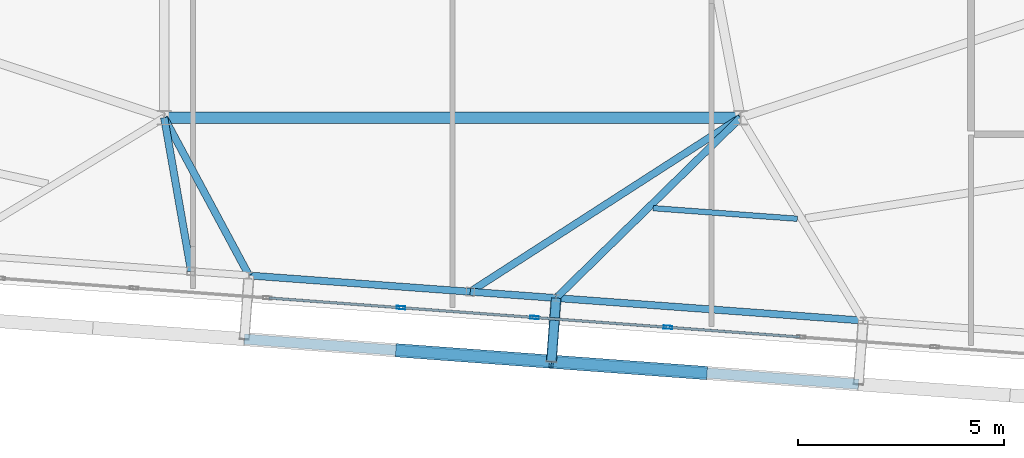
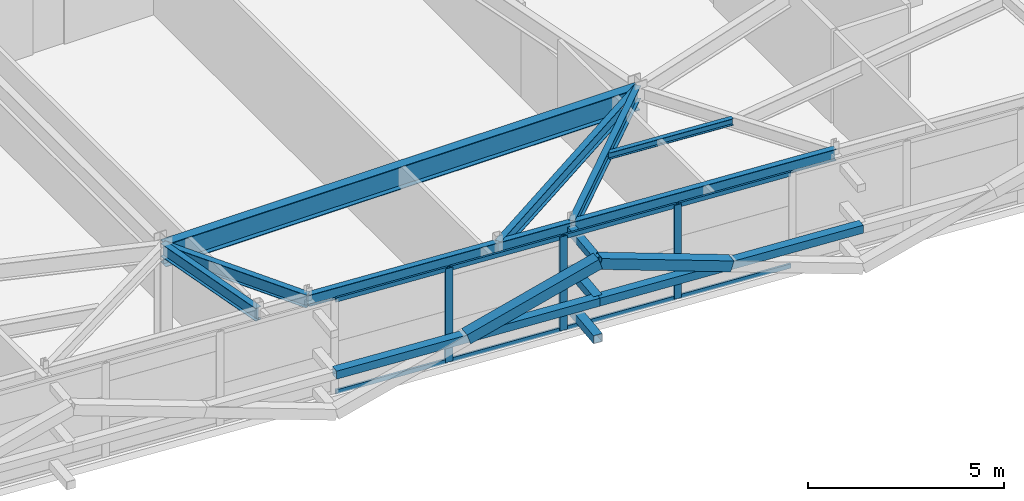
# One storey, part 13 of 42: 18 members, 9 beams, 1 element without a shape of its own.
"""IFC4 building model written with IfcOpenShell, lengths in metres."""

from ifc_helpers import new_model, si_unit, direction, frame, origin, origin_2d, place, context, subcontext, project, spatial, hollow_rectangle, i_section, extrude, source, transform, mapped, material, layer, layer_set, material_profile, profile_set, type_object, element, aggregate, save


model = new_model("IFC4")

# Units and contexts
model_context = context("Model", 3, precision=1e-05, world=origin(), true_north=direction((0.0, 1.0)))
body_context = subcontext(model_context, "Body", "Model", "MODEL_VIEW")
ifc_project = project(units=[si_unit("LENGTHUNIT", "METRE"), si_unit("AREAUNIT", "SQUARE_METRE"), si_unit("VOLUMEUNIT", "CUBIC_METRE"), si_unit("PLANEANGLEUNIT", "RADIAN"), si_unit("MASSUNIT", "GRAM", prefix="KILO")], contexts=[model_context])

# Site, building, storey
site_placement = place(None, origin())
site = spatial("IfcSite", under=ifc_project, at=site_placement, CompositionType="ELEMENT")
building_placement = place(site_placement, origin())
building = spatial("IfcBuilding", under=site, at=building_placement, Name="Taldren Reach Tower", CompositionType="ELEMENT")
storey_placement = place(building_placement, frame((0.0, 0.0, 224.0)))
storey = spatial("IfcBuildingStorey", under=building, at=storey_placement, Name="L68", CompositionType="ELEMENT", Elevation=224.0)

# Beam
ifc_material_1 = material(Name="Steel Gr 350 (350PLUS)", Category="steel")
ifc_material_profile_1 = material_profile(ifc_material_1, i_section(OverallWidth=0.27490234375, OverallDepth=0.699951171875, WebThickness=0.010009765625, FlangeThickness=0.02001953125, at=origin_2d()), Name="700WB150")
ifc_profile_set_1 = profile_set([ifc_material_profile_1], Name="Steel Gr 350 (350PLUS)")
beam_type_1 = type_object("IfcBeamType", Name="BM-WB700", PredefinedType="BEAM", material=ifc_profile_set_1)
shared_shape_1 = source(origin(), body_context, "Body", "SweptSolid", [
    extrude(i_section(OverallWidth=0.27490234375, OverallDepth=0.699951171875, WebThickness=0.010009765625, FlangeThickness=0.02001953125, at=origin_2d()), origin(), (0.0, 0.0, 1.0), 14.0),
])
beam_1_placement = place(storey_placement, frame((28.0, 9.199951171875, 2.580078125), z_axis=(1.0, 0.0, 0.0), x_axis=(0.0, 1.0, 0.0)))
element("IfcBeam", 1, at=beam_1_placement, inside=storey, type_object=beam_type_1, Name="Core-spine girder L68-SP11", PredefinedType="BEAM", context=body_context, shape_type="MappedRepresentation", body=[
    mapped(shared_shape_1, transform((0.0, 0.0, 0.0), scale=1.0)),
])

# Members
ifc_material_2 = material(Name="Steel Gr 350 (C350L0)", Category="steel")
ifc_material_profile_2 = material_profile(ifc_material_2, hollow_rectangle(XDim=0.25, YDim=0.25, WallThickness=0.010009765625, at=origin_2d()), Name="250x250x10.0SHS")
ifc_profile_set_2 = profile_set([ifc_material_profile_2], Name="Steel Gr 350 (C350L0)")
member_type_1 = type_object("IfcMemberType", Name="MB-POST250", PredefinedType="POST", material=ifc_profile_set_2)
shared_shape_2 = source(origin(), body_context, "Body", "SweptSolid", [
    extrude(hollow_rectangle(XDim=0.25, YDim=0.25, WallThickness=0.010009765625, at=origin_2d()), origin(), (0.0, 0.0, 1.0), 1.550048828125),
])
for number, where, z_axis, x_axis, name in (
    (2, (37.5205078125, 4.81689453125, 0.219970703125), (-0.07323929162, -0.997314396849, 0.0), (0.997314396849, -0.07323929162, 0.0), "Exoskeleton base diaphragm tie strut B5-S4 L68"),
    (3, (37.5205078125, 4.81689453125, 1.43505859375), (-0.07323929162, -0.997314396849, 0.0), (0.997314396849, -0.07323929162, 0.0), "Exoskeleton mid-tier diaphragm tie B5-S4 L68"),
):
    element("IfcMember", number, at=place(storey_placement, frame(where, z_axis=z_axis, x_axis=x_axis)), inside=storey, type_object=member_type_1, Name=name, PredefinedType="POST", context=body_context, shape_type="MappedRepresentation", body=[
        mapped(shared_shape_2, transform((0.0, 0.0, 0.0), scale=1.0)),
    ])
ifc_material_3 = material(Name="Steel Gr 450 (C450L0)", Category="steel")
ifc_material_profile_3 = material_profile(ifc_material_3, hollow_rectangle(XDim=0.219970703125, YDim=0.219970703125, WallThickness=0.00830078125, at=origin_2d()), Name="220x220x8.2SHS")
ifc_profile_set_3 = profile_set([ifc_material_profile_3], Name="Steel Gr 450 (C450L0)")
member_type_2 = type_object("IfcMemberType", Name="MB-TIE219", PredefinedType="STRUT", material=ifc_profile_set_3)
shared_shape_3 = source(origin(), body_context, "Body", "SweptSolid", [
    extrude(hollow_rectangle(XDim=0.219970703125, YDim=0.219970703125, WallThickness=0.00830078125, at=origin_2d()), origin(), (0.0, 0.0, 1.0), 1.550048828125),
])
member_1_placement = place(storey_placement, frame((37.5205078125, 4.81689453125, 2.64990234375), z_axis=(-0.07323929162, -0.997314396849, 0.0), x_axis=(0.997314396849, -0.07323929162, 0.0)))
element("IfcMember", 4, at=member_1_placement, inside=storey, type_object=member_type_2, Name="Exoskeleton diaphragm tie strut B5-S4 L68", PredefinedType="STRUT", context=body_context, shape_type="MappedRepresentation", body=[
    mapped(shared_shape_3, transform((0.0, 0.0, 0.0), scale=1.0)),
])

# Beams
ifc_material_profile_4 = material_profile(ifc_material_1, i_section(OverallWidth=0.172119140625, OverallDepth=0.35888671875, WebThickness=0.008056640625, FlangeThickness=0.012939453125, at=origin_2d()), Name="360UB56.7")
ifc_profile_set_4 = profile_set([ifc_material_profile_4], Name="Steel Gr 350 (350PLUS)")
beam_type_2 = type_object("IfcBeamType", Name="SP-UB360", PredefinedType="SPANDREL", material=ifc_profile_set_4)
shared_shape_4 = source(origin(), body_context, "Body", "SweptSolid", [
    extrude(i_section(OverallWidth=0.172119140625, OverallDepth=0.35888671875, WebThickness=0.008056640625, FlangeThickness=0.012939453125, at=origin_2d()), origin(), (0.0, 0.0, 1.0), 5.389892578125),
])
beam_2_placement = place(storey_placement, frame((30.060546875, 5.364501953125, 2.75048828125), z_axis=(0.997314149177, -0.073242664148, 0.0), x_axis=(0.073242664148, 0.997314149177, 0.0)))
element("IfcBeam", 5, at=beam_2_placement, inside=storey, type_object=beam_type_2, Name="Perimeter spandrel B5 S3-PJ2 L68", PredefinedType="SPANDREL", context=body_context, shape_type="MappedRepresentation", body=[
    mapped(shared_shape_4, transform((0.0, 0.0, 0.0), scale=1.0)),
])
shared_shape_5 = source(origin(), body_context, "Body", "SweptSolid", [
    extrude(i_section(OverallWidth=0.172119140625, OverallDepth=0.35888671875, WebThickness=0.008056640625, FlangeThickness=0.012939453125, at=origin_2d()), origin(), (0.0, 0.0, 1.0), 2.090087890625),
])
beam_3_placement = place(storey_placement, frame((35.43603515625, 4.9697265625, 2.75048828125), z_axis=(0.997322930253, -0.073122997697, 0.0), x_axis=(0.073122997697, 0.997322930253, 0.0)))
element("IfcBeam", 6, at=beam_3_placement, inside=storey, type_object=beam_type_2, Name="Perimeter spandrel B5 PJ2-S4 L68", PredefinedType="SPANDREL", context=body_context, shape_type="MappedRepresentation", body=[
    mapped(shared_shape_5, transform((0.0, 0.0, 0.0), scale=1.0)),
])
shared_shape_6 = source(origin(), body_context, "Body", "SweptSolid", [
    extrude(i_section(OverallWidth=0.172119140625, OverallDepth=0.35888671875, WebThickness=0.008056640625, FlangeThickness=0.012939453125, at=origin_2d()), origin(), (0.0, 0.0, 1.0), 7.479736328125),
])
beam_4_placement = place(storey_placement, frame((37.5205078125, 4.81689453125, 2.75048828125), z_axis=(0.997314045547, -0.073244075215, 0.0), x_axis=(0.073244075215, 0.997314045547, 0.0)))
element("IfcBeam", 7, at=beam_4_placement, inside=storey, type_object=beam_type_2, Name="Perimeter spandrel B5 S4-S5 L68", PredefinedType="SPANDREL", context=body_context, shape_type="MappedRepresentation", body=[
    mapped(shared_shape_6, transform((0.0, 0.0, 0.0), scale=1.0)),
])
ifc_material_profile_5 = material_profile(ifc_material_1, i_section(OverallWidth=0.177978515625, OverallDepth=0.406005859375, WebThickness=0.0078125, FlangeThickness=0.0126953125, at=origin_2d()), Name="410UB59.7")
ifc_profile_set_5 = profile_set([ifc_material_profile_5], Name="Steel Gr 350 (350PLUS)")
beam_type_3 = type_object("IfcBeamType", Name="BM-UB410", PredefinedType="BEAM", material=ifc_profile_set_5)
shared_shape_7 = source(origin(), body_context, "Body", "SweptSolid", [
    extrude(i_section(OverallWidth=0.177978515625, OverallDepth=0.406005859375, WebThickness=0.0078125, FlangeThickness=0.0126953125, at=origin_2d()), origin(), (0.0, 0.0, 1.0), 3.7890625),
])
beam_5_placement = place(storey_placement, frame((28.0, 9.199951171875, 2.72705078125), z_axis=(0.172678846321, -0.984978180486, 0.0), x_axis=(0.984978180486, 0.172678846321, 0.0)))
element("IfcBeam", 8, at=beam_5_placement, inside=storey, type_object=beam_type_3, Name="Primary floor girder B5-PJ1 L68", PredefinedType="BEAM", context=body_context, shape_type="MappedRepresentation", body=[
    mapped(shared_shape_7, transform((0.0, 0.0, 0.0), scale=1.0)),
])
shared_shape_8 = source(origin(), body_context, "Body", "SweptSolid", [
    extrude(i_section(OverallWidth=0.177978515625, OverallDepth=0.406005859375, WebThickness=0.0078125, FlangeThickness=0.0126953125, at=origin_2d()), origin(), (0.0, 0.0, 1.0), 4.35400390625),
])
beam_6_placement = place(storey_placement, frame((28.0, 9.199951171875, 2.72705078125), z_axis=(0.473263645364, -0.88092083752, 0.0), x_axis=(0.88092083752, 0.473263645364, 0.0)))
element("IfcBeam", 9, at=beam_6_placement, inside=storey, type_object=beam_type_3, Name="Primary floor girder B5-S3 L68", PredefinedType="BEAM", context=body_context, shape_type="MappedRepresentation", body=[
    mapped(shared_shape_8, transform((0.0, 0.0, 0.0), scale=1.0)),
])
shared_shape_9 = source(origin(), body_context, "Body", "SweptSolid", [
    extrude(i_section(OverallWidth=0.177978515625, OverallDepth=0.406005859375, WebThickness=0.0078125, FlangeThickness=0.0126953125, at=origin_2d()), origin(), (0.0, 0.0, 1.0), 7.80908203125),
])
beam_7_placement = place(storey_placement, frame((42.0, 9.199951171875, 2.72705078125), z_axis=(-0.840564391699, -0.541711642304, 0.0), x_axis=(0.541711642304, -0.840564391699, 0.0)))
element("IfcBeam", 10, at=beam_7_placement, inside=storey, type_object=beam_type_3, Name="Primary floor girder B5-PJ2 L68", PredefinedType="BEAM", context=body_context, shape_type="MappedRepresentation", body=[
    mapped(shared_shape_9, transform((0.0, 0.0, 0.0), scale=1.0)),
])
shared_shape_10 = source(origin(), body_context, "Body", "SweptSolid", [
    extrude(i_section(OverallWidth=0.177978515625, OverallDepth=0.406005859375, WebThickness=0.0078125, FlangeThickness=0.0126953125, at=origin_2d()), origin(), (0.0, 0.0, 1.0), 6.26708984375),
])
beam_8_placement = place(storey_placement, frame((42.0, 9.199951171875, 2.72705078125), z_axis=(-0.71475866888, -0.699371178461, 0.0), x_axis=(0.699371178461, -0.71475866888, 0.0)))
element("IfcBeam", 11, at=beam_8_placement, inside=storey, type_object=beam_type_3, Name="Primary floor girder B5-S4 L68", PredefinedType="BEAM", context=body_context, shape_type="MappedRepresentation", body=[
    mapped(shared_shape_10, transform((0.0, 0.0, 0.0), scale=1.0)),
])
ifc_material_4 = material(Name="Steel Gr 300 (300PLUS, 300 MPa)", Category="steel")
ifc_material_profile_6 = material_profile(ifc_material_4, i_section(OverallWidth=0.134033203125, OverallDepth=0.20703125, WebThickness=0.00634765625, FlangeThickness=0.009521484375, at=origin_2d()), Name="200UB29.8")
ifc_profile_set_6 = profile_set([ifc_material_profile_6], Name="Steel Gr 300 (300PLUS, 300 MPa)")
beam_type_4 = type_object("IfcBeamType", Name="JS-UB200", PredefinedType="JOIST", material=ifc_profile_set_6)
shared_shape_11 = source(origin(), body_context, "Body", "SweptSolid", [
    extrude(i_section(OverallWidth=0.134033203125, OverallDepth=0.20703125, WebThickness=0.00634765625, FlangeThickness=0.009521484375, at=origin_2d()), origin(), (0.0, 0.0, 1.0), 3.51220703125),
])
beam_9_placement = place(storey_placement, frame((39.878662109375, 6.999755859375, 2.826416015625), z_axis=(0.997312333235, -0.073267386856, 0.0), x_axis=(0.073267386856, 0.997312333235, 0.0)))
element("IfcBeam", 12, at=beam_9_placement, inside=storey, type_object=beam_type_4, Name="Secondary floor joist B5 J4 L68", PredefinedType="JOIST", context=body_context, shape_type="MappedRepresentation", body=[
    mapped(shared_shape_11, transform((0.0, 0.0, 0.0), scale=1.0)),
])

# Members
ifc_material_profile_7 = material_profile(ifc_material_3, hollow_rectangle(XDim=0.324951171875, YDim=0.324951171875, WallThickness=0.0126953125, at=origin_2d()), Name="325x325x12.7SHS")
ifc_profile_set_7 = profile_set([ifc_material_profile_7], Name="Steel Gr 450 (C450L0)")
member_type_3 = type_object("IfcMemberType", Name="MB-BR324", PredefinedType="BRACE", material=ifc_profile_set_7)
shared_shape_12 = source(origin(), body_context, "Body", "SweptSolid", [
    extrude(hollow_rectangle(XDim=0.324951171875, YDim=0.324951171875, WallThickness=0.0126953125, at=origin_2d()), origin(), (0.0, 0.0, 1.0), 3.932373046875),
])
member_2_placement = place(storey_placement, frame((33.677001953125, 3.544921875, 1.43505859375), z_axis=(0.948529326954, -0.06965898055, 0.308933232813), x_axis=(0.07324169103, 0.997314220642, 0.0)))
element("IfcMember", 13, at=member_2_placement, inside=storey, type_object=member_type_3, Name="Exoskeleton Diagrid Brace B5-S3 L68", PredefinedType="BRACE", context=body_context, shape_type="MappedRepresentation", body=[
    mapped(shared_shape_12, transform((0.0, 0.0, 0.0), scale=1.0)),
])
shared_shape_13 = source(origin(), body_context, "Body", "SweptSolid", [
    extrude(hollow_rectangle(XDim=0.25, YDim=0.25, WallThickness=0.010009765625, at=origin_2d()), origin(), (0.0, 0.0, 1.0), 7.47998046875),
])
member_3_placement = place(storey_placement, frame((29.947021484375, 3.81884765625, 1.43505859375), z_axis=(0.997314220642, -0.07324169103, 0.0), x_axis=(0.07324169103, 0.997314220642, 0.0)))
element("IfcMember", 14, at=member_3_placement, inside=storey, type_object=member_type_1, Name="Exoskeleton mid-height ring chord B5-S3 L68", PredefinedType="POST", context=body_context, shape_type="MappedRepresentation", body=[
    mapped(shared_shape_13, transform((0.0, 0.0, 0.0), scale=1.0)),
])
shared_shape_14 = source(origin(), body_context, "Body", "SweptSolid", [
    extrude(hollow_rectangle(XDim=0.324951171875, YDim=0.324951171875, WallThickness=0.0126953125, at=origin_2d()), origin(), (0.0, 0.0, 1.0), 3.93212890625),
])
member_4_placement = place(storey_placement, frame((41.13671875, 2.9970703125, 1.43505859375), z_axis=(-0.948523099803, 0.069663082934, 0.30895142663), x_axis=(-0.073246459555, -0.997313870435, 0.0)))
element("IfcMember", 15, at=member_4_placement, inside=storey, type_object=member_type_3, Name="Exoskeleton Diagrid Brace B5-S4 L68", PredefinedType="BRACE", context=body_context, shape_type="MappedRepresentation", body=[
    mapped(shared_shape_14, transform((0.0, 0.0, 0.0), scale=1.0)),
])
shared_shape_15 = source(origin(), body_context, "Body", "SweptSolid", [
    extrude(hollow_rectangle(XDim=0.25, YDim=0.25, WallThickness=0.010009765625, at=origin_2d()), origin(), (0.0, 0.0, 1.0), 7.479736328125),
])
member_5_placement = place(storey_placement, frame((37.406982421875, 3.27099609375, 1.43505859375), z_axis=(0.997314045547, -0.073244075215, 0.0), x_axis=(0.073244075215, 0.997314045547, 0.0)))
element("IfcMember", 16, at=member_5_placement, inside=storey, type_object=member_type_1, Name="Exoskeleton mid-height ring chord B5-S4 L68", PredefinedType="POST", context=body_context, shape_type="MappedRepresentation", body=[
    mapped(shared_shape_15, transform((0.0, 0.0, 0.0), scale=1.0)),
])

# Curtain wall, members
ifc_material_5 = material(Name="Aluminium and Low-E Glass Unitised System", Category="aluminium")
ifc_layer = layer(ifc_material_5, 0.159912109375)
ifc_layer_set = layer_set([ifc_layer], Name="Aluminium and Low-E Glass Unitised System")
curtain_wall_type = type_object("IfcCurtainWallType", Name="CW-SYS-6", PredefinedType="NOTDEFINED", material=ifc_layer_set)
curtain_wall_placement = place(storey_placement, origin())
curtain_wall = element("IfcCurtainWall", 17, at=curtain_wall_placement, inside=storey, type_object=curtain_wall_type, Name="Unitised curtain wall CW-L68-S", PredefinedType="NOTDEFINED")
ifc_material_6 = material(Name="Anodised Aluminium 6063-T6", Category="aluminium")
ifc_material_profile_8 = material_profile(ifc_material_6, hollow_rectangle(XDim=0.074951171875, YDim=0.2099609375, WallThickness=0.00439453125, at=origin_2d()), Name="ALU-210x75x4.5RHS")
ifc_profile_set_8 = profile_set([ifc_material_profile_8], Name="Anodised Aluminium 6063-T6")
member_type_4 = type_object("IfcMemberType", Name="CW-MUL-200", PredefinedType="MULLION", material=ifc_profile_set_8)
shared_shape_16 = source(origin(), body_context, "Body", "SweptSolid", [
    extrude(hollow_rectangle(XDim=0.074951171875, YDim=0.2099609375, WallThickness=0.00439453125, at=origin_2d()), origin(), (0.0, 0.0, 1.0), 2.929931640625),
])
member_6_placement = place(storey_placement, frame((33.753173828125, 4.58203125, 0.0), z_axis=(0.0, 0.0, 1.0), x_axis=(0.073238213716, 0.997314476006, 0.0)))
member_6 = element("IfcMember", 18, at=member_6_placement, type_object=member_type_4, Name="CW-6 mullion 7", PredefinedType="MULLION", context=body_context, shape_type="MappedRepresentation", body=[
    mapped(shared_shape_16, transform((0.0, 0.0, 0.0), scale=1.0)),
])
member_7_placement = place(storey_placement, frame((36.994384765625, 4.343994140625, 0.0), z_axis=(0.0, 0.0, 1.0), x_axis=(0.073238213716, 0.997314476006, 0.0)))
member_7 = element("IfcMember", 19, at=member_7_placement, type_object=member_type_4, Name="CW-6 mullion 8", PredefinedType="MULLION", context=body_context, shape_type="MappedRepresentation", body=[
    mapped(shared_shape_16, transform((0.0, 0.0, 0.0), scale=1.0)),
])
member_8_placement = place(storey_placement, frame((40.235595703125, 4.10595703125, 0.0), z_axis=(0.0, 0.0, 1.0), x_axis=(0.073238213716, 0.997314476006, 0.0)))
member_8 = element("IfcMember", 20, at=member_8_placement, type_object=member_type_4, Name="CW-6 mullion 9", PredefinedType="MULLION", context=body_context, shape_type="MappedRepresentation", body=[
    mapped(shared_shape_16, transform((0.0, 0.0, 0.0), scale=1.0)),
])
ifc_material_profile_9 = material_profile(ifc_material_6, hollow_rectangle(XDim=0.06005859375, YDim=0.135009765625, WallThickness=0.00341796875, at=origin_2d()), Name="ALU-135x60x3.5RHS")
ifc_profile_set_9 = profile_set([ifc_material_profile_9], Name="Anodised Aluminium 6063-T6")
member_type_5 = type_object("IfcMemberType", Name="CW-TRN-150", PredefinedType="USERDEFINED", material=ifc_profile_set_9)
shared_shape_17 = source(origin(), body_context, "Body", "SweptSolid", [
    extrude(hollow_rectangle(XDim=0.06005859375, YDim=0.135009765625, WallThickness=0.00341796875, at=origin_2d()), origin(), (0.0, 0.0, 1.0), 3.1748046875),
])
member_9_placement = place(storey_placement, frame((30.54931640625, 4.8173828125, 0.030029296875), z_axis=(0.997311015151, -0.07328532635, 0.0), x_axis=(0.07328532635, 0.997311015151, 0.0)))
member_9 = element("IfcMember", 21, at=member_9_placement, type_object=member_type_5, Name="CW-6 transom 6.1", ObjectType="TRANSOM", PredefinedType="USERDEFINED", context=body_context, shape_type="MappedRepresentation", body=[
    mapped(shared_shape_17, transform((0.0, 0.0, 0.0), scale=1.0)),
])
member_10_placement = place(storey_placement, frame((30.54931640625, 4.8173828125, 2.89990234375), z_axis=(0.997311015151, -0.07328532635, 0.0), x_axis=(0.07328532635, 0.997311015151, 0.0)))
member_10 = element("IfcMember", 22, at=member_10_placement, type_object=member_type_5, Name="CW-6 transom 6.2", ObjectType="TRANSOM", PredefinedType="USERDEFINED", context=body_context, shape_type="MappedRepresentation", body=[
    mapped(shared_shape_17, transform((0.0, 0.0, 0.0), scale=1.0)),
])
shared_shape_18 = source(origin(), body_context, "Body", "SweptSolid", [
    extrude(hollow_rectangle(XDim=0.06005859375, YDim=0.135009765625, WallThickness=0.00341796875, at=origin_2d()), origin(), (0.0, 0.0, 1.0), 3.175048828125),
])
member_11_placement = place(storey_placement, frame((33.79052734375, 4.579345703125, 0.030029296875), z_axis=(0.997311428111, -0.073279706322, 0.0), x_axis=(0.073279706322, 0.997311428111, 0.0)))
member_11 = element("IfcMember", 23, at=member_11_placement, type_object=member_type_5, Name="CW-6 transom 7.1", ObjectType="TRANSOM", PredefinedType="USERDEFINED", context=body_context, shape_type="MappedRepresentation", body=[
    mapped(shared_shape_18, transform((0.0, 0.0, 0.0), scale=1.0)),
])
member_12_placement = place(storey_placement, frame((33.79052734375, 4.579345703125, 2.89990234375), z_axis=(0.997311428111, -0.073279706322, 0.0), x_axis=(0.073279706322, 0.997311428111, 0.0)))
member_12 = element("IfcMember", 24, at=member_12_placement, type_object=member_type_5, Name="CW-6 transom 7.2", ObjectType="TRANSOM", PredefinedType="USERDEFINED", context=body_context, shape_type="MappedRepresentation", body=[
    mapped(shared_shape_18, transform((0.0, 0.0, 0.0), scale=1.0)),
])
member_13_placement = place(storey_placement, frame((37.03173828125, 4.34130859375, 0.030029296875), z_axis=(0.997311428111, -0.073279706322, 0.0), x_axis=(0.073279706322, 0.997311428111, 0.0)))
member_13 = element("IfcMember", 25, at=member_13_placement, type_object=member_type_5, Name="CW-6 transom 8.1", ObjectType="TRANSOM", PredefinedType="USERDEFINED", context=body_context, shape_type="MappedRepresentation", body=[
    mapped(shared_shape_18, transform((0.0, 0.0, 0.0), scale=1.0)),
])
member_14_placement = place(storey_placement, frame((37.03173828125, 4.34130859375, 2.89990234375), z_axis=(0.997311428111, -0.073279706322, 0.0), x_axis=(0.073279706322, 0.997311428111, 0.0)))
member_14 = element("IfcMember", 26, at=member_14_placement, type_object=member_type_5, Name="CW-6 transom 8.2", ObjectType="TRANSOM", PredefinedType="USERDEFINED", context=body_context, shape_type="MappedRepresentation", body=[
    mapped(shared_shape_18, transform((0.0, 0.0, 0.0), scale=1.0)),
])
member_15_placement = place(storey_placement, frame((40.27294921875, 4.103271484375, 0.030029296875), z_axis=(0.99731704481, -0.073203224877, 0.0), x_axis=(0.073203224877, 0.99731704481, 0.0)))
member_15 = element("IfcMember", 27, at=member_15_placement, type_object=member_type_5, Name="CW-6 transom 9.1", ObjectType="TRANSOM", PredefinedType="USERDEFINED", context=body_context, shape_type="MappedRepresentation", body=[
    mapped(shared_shape_18, transform((0.0, 0.0, 0.0), scale=1.0)),
])
member_16_placement = place(storey_placement, frame((40.27294921875, 4.103271484375, 2.89990234375), z_axis=(0.99731704481, -0.073203224877, 0.0), x_axis=(0.073203224877, 0.99731704481, 0.0)))
member_16 = element("IfcMember", 28, at=member_16_placement, type_object=member_type_5, Name="CW-6 transom 9.2", ObjectType="TRANSOM", PredefinedType="USERDEFINED", context=body_context, shape_type="MappedRepresentation", body=[
    mapped(shared_shape_18, transform((0.0, 0.0, 0.0), scale=1.0)),
])
aggregate(curtain_wall, [member_6, member_7, member_8, member_9, member_10, member_11, member_12, member_13, member_14, member_15, member_16])

save(model, "model.ifc")
